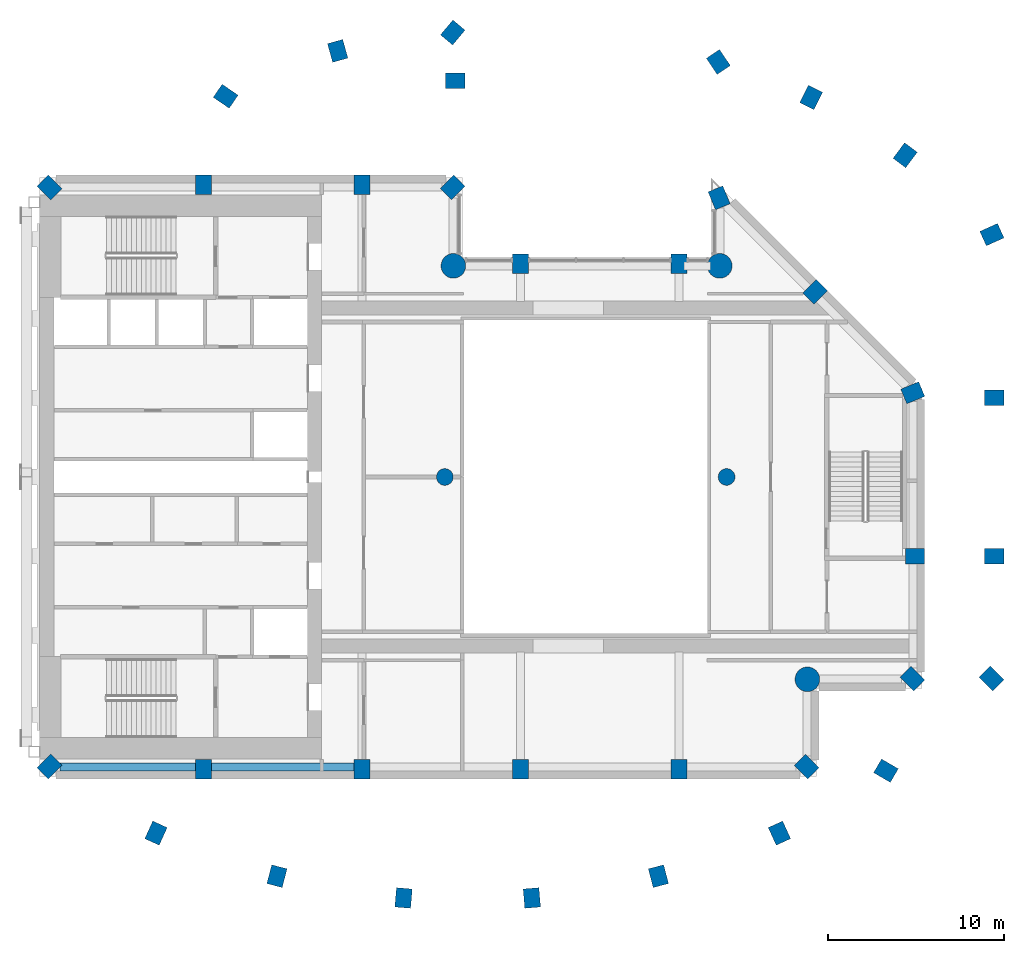
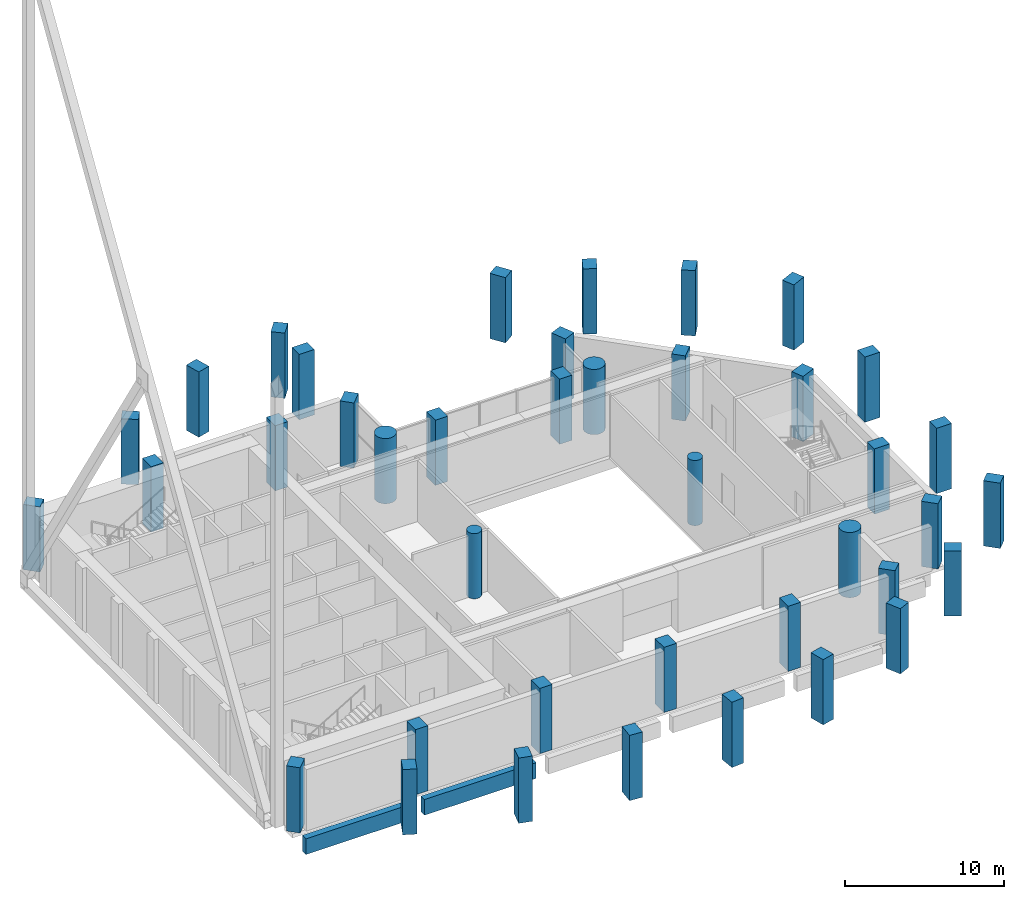
# One storey, part 1 of 12: 40 columns, 2 beams.
"""IFC4 building model written with IfcOpenShell, lengths in metres."""

from ifc_helpers import new_model, si_unit, direction, frame, origin, origin_2d, place, context, subcontext, project, spatial, rectangle, circle, extrude, material, material_profile, profile_set, type_object, element, save


model = new_model("IFC4")

# Units and contexts
model_context = context("Model", 3, precision=1e-05, world=origin(), true_north=direction((0.0, 1.0)))
body_context = subcontext(model_context, "Body", "Model", "MODEL_VIEW")
ifc_project = project(units=[si_unit("LENGTHUNIT", "METRE"), si_unit("AREAUNIT", "SQUARE_METRE"), si_unit("VOLUMEUNIT", "CUBIC_METRE"), si_unit("PLANEANGLEUNIT", "RADIAN"), si_unit("MASSUNIT", "GRAM", prefix="KILO")], contexts=[model_context])

# Site, building, storey
site_placement = place(None, origin())
site = spatial("IfcSite", under=ifc_project, at=site_placement, CompositionType="ELEMENT")
building_placement = place(site_placement, origin())
building = spatial("IfcBuilding", under=site, at=building_placement, Name="Cypress Arch Tower", CompositionType="ELEMENT")
storey_placement = place(building_placement, frame((0.0, 0.0, 238.39990234375)))
storey = spatial("IfcBuildingStorey", under=building, at=storey_placement, Name="L53", CompositionType="ELEMENT", Elevation=238.39990234375)

# Columns
ifc_material_1 = material(Name="Concrete C70/85", Category="concrete")
ifc_material_profile_1 = material_profile(ifc_material_1, rectangle(XDim=0.89990234375, YDim=1.10009765625, at=origin_2d()), Name="RC 900x1100")
ifc_profile_set_1 = profile_set([ifc_material_profile_1], Name="Concrete C70/85")
column_type_1 = type_object("IfcColumnType", Name="Column RC 900x1100 Concrete C70/85", PredefinedType="COLUMN", material=ifc_profile_set_1)
for number, where, z_axis, x_axis, name in (
    (1, (-29.44287109375, 16.44287109375, 0.0), (0.0, 0.0, 1.0), (-0.707106781187, -0.707106781187, 0.0), "Column L53 CB00"),
    (2, (-29.44287109375, -16.44287109375, 0.0), (0.0, 0.0, 1.0), (0.707106781187, -0.707106781187, 0.0), "Column L53 CB01"),
    (3, (-20.699951171875, -16.60009765625, 0.0), (0.0, 0.0, 1.0), (1.0, 0.0, 0.0), "Column L53 CB02"),
    (4, (-11.699951171875, -16.60009765625, 0.0), (0.0, 0.0, 1.0), (1.0, 0.0, 0.0), "Column L53 CB03"),
    (5, (-2.699951171875, -16.60009765625, 0.0), (0.0, 0.0, 1.0), (1.0, 0.0, 0.0), "Column L53 CB04"),
    (6, (6.300048828125, -16.60009765625, 0.0), (0.0, 0.0, 1.0), (1.0, 0.0, 0.0), "Column L53 CB05"),
    (7, (13.54296875, -16.44287109375, 0.0), (0.0, 0.0, 1.0), (0.707106781187, 0.707106781187, 0.0), "Column L53 CB06"),
    (8, (19.54296875, -11.44287109375, 0.0), (0.0, 0.0, 1.0), (0.707106781187, 0.707106781187, 0.0), "Column L53 CB08"),
    (9, (19.699951171875, -4.5, 0.0), (0.0, 0.0, 1.0), (0.0, 1.0, 0.0), "Column L53 CB09"),
    (10, (19.569580078125, 4.7802734375, 0.0), (0.0, 0.0, 1.0), (-0.382683496864, 0.923879505795, 0.0), "Column L53 CB10"),
    (11, (14.029296875, 10.505126953125, 0.0), (0.0, 0.0, 1.0), (-0.707106781187, 0.707106781187, 0.0), "Column L53 CB11"),
    (12, (8.576171875, 15.850341796875, 0.0), (0.0, 0.0, 1.0), (-0.923879672772, -0.382683093746, 0.0), "Column L53 CB12"),
    (13, (6.300048828125, 12.10009765625, 0.0), (0.0, 0.0, 1.0), (-1.0, 0.0, 0.0), "Column L53 CB14"),
    (14, (-2.699951171875, 12.10009765625, 0.0), (0.0, 0.0, 1.0), (-1.0, 0.0, 0.0), "Column L53 CB15"),
    (15, (-6.55712890625, 16.44287109375, 0.0), (0.0, 0.0, 1.0), (-0.707106781187, 0.707106781187, 0.0), "Column L53 CB17"),
    (16, (-11.699951171875, 16.60009765625, 0.0), (0.0, 0.0, 1.0), (-1.0, 0.0, 0.0), "Column L53 CB18"),
    (17, (-20.699951171875, 16.60009765625, 0.0), (0.0, 0.0, 1.0), (-1.0, 0.0, 0.0), "Column L53 CB19"),
    (18, (8.53076171875, 23.564697265625, 0.0), (0.0, 0.0, 1.0), (-0.828469606019, -0.560034027451, 0.0), "Column L53 CQ00"),
    (19, (-6.39990234375, 22.5, 0.0), (0.0, 0.0, 1.0), (0.0, 1.0, 0.0), "Column L53 CQ01"),
    (20, (-6.54833984375, 25.236572265625, 0.0), (0.0, 0.0, 1.0), (-0.766063514674, 0.642764880407, 0.0), "Column L53 CQ02"),
    (21, (-13.081298828125, 24.193359375, 0.0), (0.0, 0.0, 1.0), (-0.96345574646, -0.267867550506, 0.0), "Column L53 CQ03"),
    (22, (-19.44189453125, 21.616943359375, 0.0), (0.0, 0.0, 1.0), (-0.565892599589, -0.824478966215, 0.0), "Column L53 CQ04"),
    (23, (-23.398193359375, -20.221435546875, 0.0), (0.0, 0.0, 1.0), (0.909932071487, -0.414757308891, 0.0), "Column L53 CQ05"),
    (24, (-16.529052734375, -22.666259765625, 0.0), (0.0, 0.0, 1.0), (0.96735573689, -0.2534223319, 0.0), "Column L53 CQ06"),
    (25, (-9.3427734375, -23.903564453125, 0.0), (0.0, 0.0, 1.0), (0.996368206733, -0.085149260784, 0.0), "Column L53 CQ07"),
    (26, (-2.057373046875, -23.903564453125, 0.0), (0.0, 0.0, 1.0), (0.996368206733, 0.085149260784, 0.0), "Column L53 CQ08"),
    (27, (5.12890625, -22.666259765625, 0.0), (0.0, 0.0, 1.0), (0.96735573689, 0.2534223319, 0.0), "Column L53 CQ09"),
    (28, (11.998291015625, -20.221435546875, 0.0), (0.0, 0.0, 1.0), (0.909932071487, 0.414757308891, 0.0), "Column L53 CQ10"),
    (29, (18.048095703125, -16.677490234375, 0.0), (0.0, 0.0, 1.0), (0.504399289829, 0.86347053014, 0.0), "Column L53 CQ11"),
    (30, (24.04296875, -11.44287109375, 0.0), (0.0, 0.0, 1.0), (0.707106781187, 0.707106781187, 0.0), "Column L53 CQ12"),
    (31, (24.199951171875, -4.5, 0.0), (0.0, 0.0, 1.0), (0.0, 1.0, 0.0), "Column L53 CQ13"),
    (32, (24.199951171875, 4.5, 0.0), (0.0, 0.0, 1.0), (0.0, 1.0, 0.0), "Column L53 CQ14"),
    (33, (24.06396484375, 13.75927734375, 0.0), (0.0, 0.0, 1.0), (-0.409765058504, 0.912191096662, 0.0), "Column L53 CQ15"),
    (34, (19.13818359375, 18.267578125, 0.0), (0.0, 0.0, 1.0), (-0.802798546114, 0.596250362144, 0.0), "Column L53 CQ16"),
    (35, (13.80322265625, 21.549072265625, 0.0), (0.0, 0.0, 1.0), (-0.893106499805, 0.44984528452, 0.0), "Column L53 CQ17"),
):
    element("IfcColumn", number, at=place(storey_placement, frame(where, z_axis=z_axis, x_axis=x_axis)), inside=storey, type_object=column_type_1, Name=name, PredefinedType="COLUMN", context=body_context, shape_type="SweptSolid", body=[
        extrude(rectangle(XDim=0.89990234375, YDim=1.10009765625, at=origin_2d()), origin(), (0.0, 0.0, 1.0), 5.0),
    ])
ifc_material_2 = material(Name="Concrete C70/85", Category="concrete")
ifc_material_profile_2 = material_profile(ifc_material_2, circle(Radius=0.47509765625, at=origin_2d()), Name="RC D950")
ifc_profile_set_2 = profile_set([ifc_material_profile_2], Name="Concrete C70/85")
column_type_2 = type_object("IfcColumnType", Name="Column RC D950 Concrete C70/85", PredefinedType="COLUMN", material=ifc_profile_set_2)
for number, where, z_axis, x_axis, name in (
    (36, (-7.0, 0.0, 0.0), (0.0, 0.0, 1.0), (1.0, 0.0, 0.0), "Column L53 RNG-L53-G-7+0"),
    (37, (9.0, 0.0, 0.0), (0.0, 0.0, 1.0), (1.0, 0.0, 0.0), "Column L53 RNG-L53-G+9+0"),
):
    element("IfcColumn", number, at=place(storey_placement, frame(where, z_axis=z_axis, x_axis=x_axis)), inside=storey, type_object=column_type_2, Name=name, PredefinedType="COLUMN", context=body_context, shape_type="SweptSolid", body=[
        extrude(circle(Radius=0.47509765625, at=origin_2d()), origin(), (0.0, 0.0, 1.0), 5.0),
    ])
ifc_material_3 = material(Name="Concrete C70/85", Category="concrete")
ifc_material_profile_3 = material_profile(ifc_material_3, circle(Radius=0.699951171875, at=origin_2d()), Name="RC D1400")
ifc_profile_set_3 = profile_set([ifc_material_profile_3], Name="Concrete C70/85")
column_type_3 = type_object("IfcColumnType", Name="Mega-column RC D1400 Concrete C70/85", PredefinedType="COLUMN", material=ifc_profile_set_3)
for number, where, z_axis, x_axis, name in (
    (38, (13.587890625, -11.48779296875, 0.0), (0.0, 0.0, 1.0), (1.0, 0.0, 0.0), "Column L53 CB07"),
    (39, (8.612060546875, 11.98779296875, 0.0), (0.0, 0.0, 1.0), (1.0, 0.0, 0.0), "Column L53 CB13"),
    (40, (-6.51220703125, 11.98779296875, 0.0), (0.0, 0.0, 1.0), (1.0, 0.0, 0.0), "Column L53 CB16"),
):
    element("IfcColumn", number, at=place(storey_placement, frame(where, z_axis=z_axis, x_axis=x_axis)), inside=storey, type_object=column_type_3, Name=name, PredefinedType="COLUMN", context=body_context, shape_type="SweptSolid", body=[
        extrude(circle(Radius=0.699951171875, at=origin_2d()), origin(), (0.0, 0.0, 1.0), 5.0),
    ])

# Beams
ifc_material_4 = material(Name="Concrete C50/60", Category="concrete")
ifc_material_profile_4 = material_profile(ifc_material_4, rectangle(XDim=0.449951171875, YDim=1.199951171875, at=origin_2d()), Name="RC 450x1200")
ifc_profile_set_4 = profile_set([ifc_material_profile_4], Name="Concrete C50/60")
beam_type = type_object("IfcBeamType", Name="Spandrel beam RC 450x1200 Concrete C50/60", PredefinedType="SPANDREL", material=ifc_profile_set_4)
beam_1_placement = place(storey_placement, frame((-28.838623046875, -16.47509765625, -1.5498046875), z_axis=(1.0, 0.0, 0.0), x_axis=(0.0, 1.0, 0.0)))
element("IfcBeam", 41, at=beam_1_placement, inside=storey, type_object=beam_type, Name="Spandrel beam L53 BB01-0", PredefinedType="SPANDREL", context=body_context, shape_type="SweptSolid", body=[
    extrude(rectangle(XDim=0.449951171875, YDim=1.199951171875, at=origin_2d()), origin(), (0.0, 0.0, 1.0), 7.688720703125),
])
beam_2_placement = place(storey_placement, frame((-20.25, -16.47509765625, -1.5498046875), z_axis=(1.0, 0.0, 0.0), x_axis=(0.0, 1.0, 0.0)))
element("IfcBeam", 42, at=beam_2_placement, inside=storey, type_object=beam_type, Name="Spandrel beam L53 BB01-1", PredefinedType="SPANDREL", context=body_context, shape_type="SweptSolid", body=[
    extrude(rectangle(XDim=0.449951171875, YDim=1.199951171875, at=origin_2d()), origin(), (0.0, 0.0, 1.0), 8.10009765625),
])

save(model, "model.ifc")
